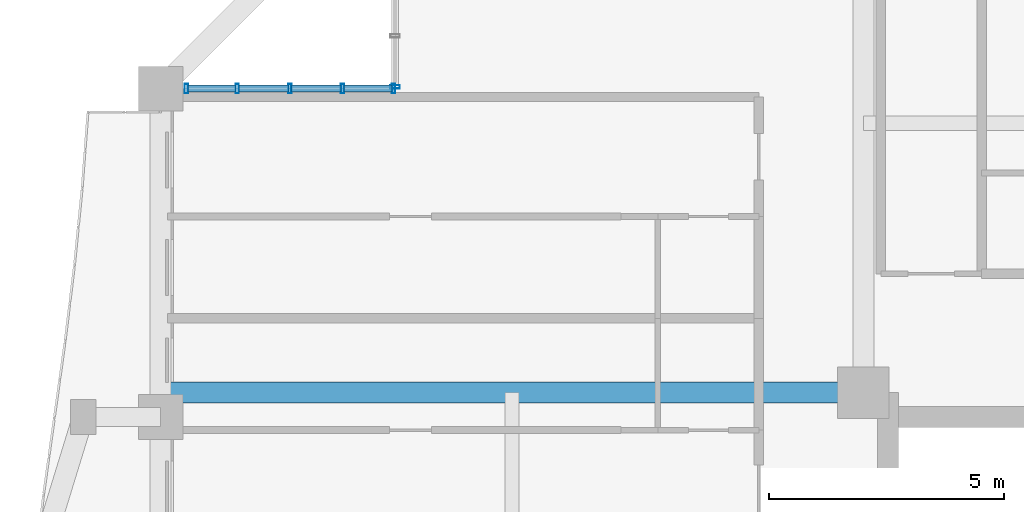
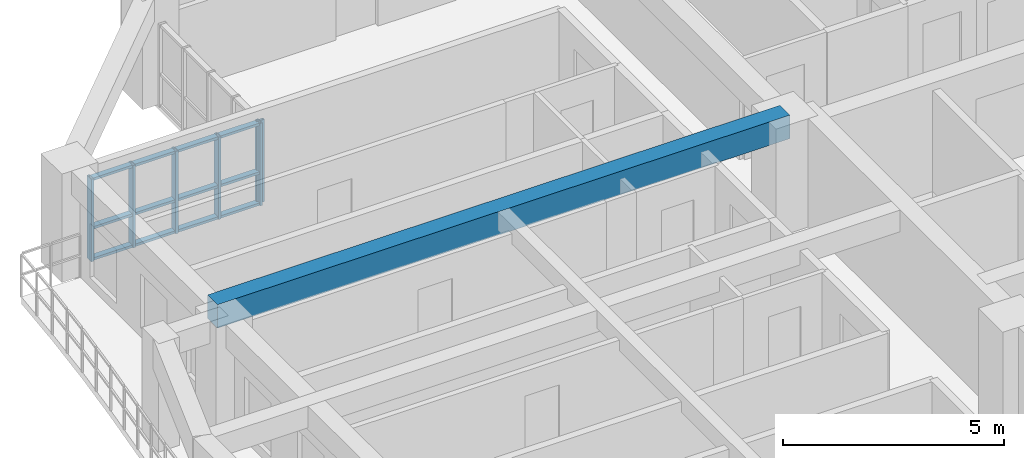
# One storey, part 6 of 24: 18 members, 1 beam, 2 elements without a shape of their own.
"""IFC4 building model written with IfcOpenShell, lengths in metres."""

import ifcopenshell
import ifcopenshell.guid

model = None  # the IFC model being written
_history = None  # IfcOwnerHistory: only IFC2X3 demands one
_inside = {}  # id of a spatial element -> (the spatial element, [elements in it])
_under = {}  # id of a project, library or spatial element -> (it, [spatial elements below it])
_declared = {}  # id of a project -> (the project, [libraries it declares])
_typed = {}  # id of a type object -> (the type object, [elements of that type])
_made_of = {}  # id of a material, layer set ... -> (it, [elements and type objects made of it])


def new_model(schema):
    """Start an empty IFC model of exactly this schema.

    Asked for "IFC4X3", IfcOpenShell would pick the latest addendum, in which some entities
    have other attributes; the version numbers below select the first issue.
    IFC2X3 requires an IfcOwnerHistory on every rooted entity: one is made here for all.
    """
    global model, _history
    if schema == "IFC4X3":
        model = ifcopenshell.file(schema_version=(4, 3, 0, 0))
    else:
        model = ifcopenshell.file(schema=schema)
    _inside.clear()
    _under.clear()
    _declared.clear()
    _typed.clear()
    _made_of.clear()
    _history = None
    if model.schema == "IFC2X3":
        org = make("IfcOrganization", Name="unknown")
        user = make(
            "IfcPersonAndOrganization",
            ThePerson=make("IfcPerson", FamilyName="unknown"),
            TheOrganization=org,
        )
        app = make(
            "IfcApplication",
            ApplicationDeveloper=org,
            Version="unknown",
            ApplicationFullName="unknown",
            ApplicationIdentifier="unknown",
        )
        _history = make(
            "IfcOwnerHistory",
            OwningUser=user,
            OwningApplication=app,
            ChangeAction="ADDED",
            CreationDate=0,
        )
    return model


def make(cls, **values):
    """One entity of the class cls with the attributes given. An attribute that is None is left unset."""
    return model.create_entity(
        cls, **{name: value for name, value in values.items() if value is not None}
    )


def rooted(cls, **values):
    """An entity with a GlobalId (a new one), such as an element, a storey or a relation."""
    return make(cls, GlobalId=ifcopenshell.guid.new(), OwnerHistory=_history, **values)


def si_unit(unit_type, name, prefix=None):
    """IfcSIUnit, for example si_unit("LENGTHUNIT", "METRE", prefix="MILLI")."""
    return make("IfcSIUnit", UnitType=unit_type, Prefix=prefix, Name=name)


def assignment(units):
    """IfcUnitAssignment: the units of a project."""
    return None if units is None else make("IfcUnitAssignment", Units=units)


def point(xyz):
    """IfcCartesianPoint."""
    return None if xyz is None else make("IfcCartesianPoint", Coordinates=xyz)


def direction(xyz):
    """IfcDirection."""
    return None if xyz is None else make("IfcDirection", DirectionRatios=xyz)


def frame(location, z_axis=None, x_axis=None):
    """IfcAxis2Placement3D, a coordinate frame: its origin and axes. An axis left out is left unset."""
    return make(
        "IfcAxis2Placement3D",
        Location=point(location),
        Axis=direction(z_axis),
        RefDirection=direction(x_axis),
    )


def frame_2d(location, x_axis=None):
    """IfcAxis2Placement2D, a coordinate frame in the plane: its origin and x axis."""
    return make(
        "IfcAxis2Placement2D", Location=point(location), RefDirection=direction(x_axis)
    )


def origin():
    """The frame at (0, 0, 0) with its axes left unset."""
    return frame((0.0, 0.0, 0.0))


def origin_2d():
    """The frame at (0, 0) in the plane with its x axis left unset."""
    return frame_2d((0.0, 0.0))


def place(relative_to, where):
    """IfcLocalPlacement: puts the frame where relative to a parent placement (None: the world)."""
    return make(
        "IfcLocalPlacement", PlacementRelTo=relative_to, RelativePlacement=where
    )


def context(
    kind, dimensions, precision=None, world=None, true_north=None, identifier=None
):
    """IfcGeometricRepresentationContext, for example the 3D "Model" context."""
    return make(
        "IfcGeometricRepresentationContext",
        ContextIdentifier=identifier,
        ContextType=kind,
        CoordinateSpaceDimension=dimensions,
        Precision=precision,
        WorldCoordinateSystem=world,
        TrueNorth=true_north,
    )


def subcontext(parent, identifier, kind, view, scale=None):
    """IfcGeometricRepresentationSubContext, for example "Body" below "Model"."""
    return make(
        "IfcGeometricRepresentationSubContext",
        ContextIdentifier=identifier,
        ContextType=kind,
        ParentContext=parent,
        TargetScale=scale,
        TargetView=view,
    )


def project(units=None, contexts=None):
    """IfcProject with its units and contexts."""
    return rooted(
        "IfcProject",
        Name="project",
        RepresentationContexts=contexts,
        UnitsInContext=assignment(units),
    )


def spatial(cls, under=None, at=None, **own):
    """A site, building, storey or space (cls), placed at a placement, below another one or the project."""
    s = rooted(cls, ObjectPlacement=at, **own)
    if under is not None:
        _under.setdefault(under.id(), (under, []))[1].append(s)
    return s


def profile(cls, at=None, kind="AREA", **sizes):
    """A parametric profile (cls). Its sizes go by their IFC names, for example OverallWidth=200.0."""
    return make(cls, ProfileType=kind, Position=at, **sizes)


def rectangle(**sizes):
    """IfcRectangleProfileDef."""
    return profile("IfcRectangleProfileDef", **sizes)


def hollow_rectangle(**sizes):
    """IfcRectangleHollowProfileDef."""
    return profile("IfcRectangleHollowProfileDef", **sizes)


def extrude(swept, where, along, depth):
    """IfcExtrudedAreaSolid: the profile swept, set in the frame where, extruded along a direction by depth."""
    return make(
        "IfcExtrudedAreaSolid",
        SweptArea=swept,
        Position=where,
        ExtrudedDirection=direction(along),
        Depth=depth,
    )


def shape(context_of_items, identifier, shape_type, items):
    """IfcShapeRepresentation: the items that make up one representation, for example the "Body"."""
    return make(
        "IfcShapeRepresentation",
        ContextOfItems=context_of_items,
        RepresentationIdentifier=identifier,
        RepresentationType=shape_type,
        Items=items,
    )


def source(mapping_origin, context_of_items, identifier, shape_type, items):
    """IfcRepresentationMap: a shape defined once, which mapped items show again and again."""
    return make(
        "IfcRepresentationMap",
        MappingOrigin=mapping_origin,
        MappedRepresentation=shape(context_of_items, identifier, shape_type, items),
    )


def transform(
    local_origin,
    x_axis=None,
    y_axis=None,
    z_axis=None,
    scale=None,
    scale2=None,
    scale3=None,
    uniform=True,
):
    """IfcCartesianTransformationOperator3D, or its non-uniform kind. x_axis, y_axis, z_axis: its Axis1, 2, 3."""
    if uniform:
        return make(
            "IfcCartesianTransformationOperator3D",
            Axis1=direction(x_axis),
            Axis2=direction(y_axis),
            LocalOrigin=point(local_origin),
            Scale=scale,
            Axis3=direction(z_axis),
        )
    return make(
        "IfcCartesianTransformationOperator3DnonUniform",
        Axis1=direction(x_axis),
        Axis2=direction(y_axis),
        LocalOrigin=point(local_origin),
        Scale=scale,
        Axis3=direction(z_axis),
        Scale2=scale2,
        Scale3=scale3,
    )


def mapped(mapping_source, mapping_target):
    """IfcMappedItem: shows the shape of a source again, moved by a transform."""
    return make(
        "IfcMappedItem", MappingSource=mapping_source, MappingTarget=mapping_target
    )


def material(Name=None, Category=None):
    """IfcMaterial."""
    return make("IfcMaterial", Name=Name, Category=Category)


def layer(
    of_material, thickness, ventilated=None, Name=None, Category=None, Priority=None
):
    """IfcMaterialLayer: one layer of a wall or slab, of a material (None: an air gap)."""
    return make(
        "IfcMaterialLayer",
        Material=of_material,
        LayerThickness=thickness,
        IsVentilated=ventilated,
        Name=Name,
        Category=Category,
        Priority=Priority,
    )


def layer_set(layers, Name=None):
    """IfcMaterialLayerSet."""
    return make("IfcMaterialLayerSet", MaterialLayers=layers, LayerSetName=Name)


def material_profile(
    of_material, cross_section, Name=None, Category=None, Priority=None
):
    """IfcMaterialProfile: a cross section and its material."""
    return make(
        "IfcMaterialProfile",
        Name=Name,
        Material=of_material,
        Profile=cross_section,
        Priority=Priority,
        Category=Category,
    )


def profile_set(profiles, Name=None, composite=None):
    """IfcMaterialProfileSet."""
    return make(
        "IfcMaterialProfileSet",
        Name=Name,
        MaterialProfiles=profiles,
        CompositeProfile=composite,
    )


def made_of(thing, what):
    """Note that an element or type object is made of a material, layer set ...; save() writes the relation."""
    if what is not None:
        _made_of.setdefault(what.id(), (what, []))[1].append(thing)
    return thing


def type_object(cls, material=None, **own):
    """A type object (cls), such as IfcWallType, which elements share."""
    return made_of(rooted(cls, **own), material)


def element(
    cls,
    number,
    at=None,
    inside=None,
    cuts=None,
    type_object=None,
    material=None,
    context=None,
    identifier="Body",
    shape_type=None,
    held_by="IfcProductDefinitionShape",
    body=None,
    shapes=None,
    **own,
):
    """One element of the class cls, such as IfcWall. Its Tag is "e" and its number.

    at: its placement. inside: the storey or other place that contains it. cuts: it is an
    opening in that element (IfcRelVoidsElement). A single representation is given by context,
    identifier, shape_type and body (its items); several are given by shapes. held_by: the class
    of the entity that holds the representations. save() writes the other relations.
    """
    e = rooted(cls, Tag="e%d" % number, ObjectPlacement=at, **own)
    if body is not None:
        shapes = [shape(context, identifier, shape_type, body)]
    if shapes is not None:
        e.Representation = make(held_by, Representations=shapes)
    if inside is not None:
        _inside.setdefault(inside.id(), (inside, []))[1].append(e)
    if cuts is not None:
        rooted(
            "IfcRelVoidsElement", RelatingBuildingElement=cuts, RelatedOpeningElement=e
        )
    if type_object is not None:
        _typed.setdefault(type_object.id(), (type_object, []))[1].append(e)
    return made_of(e, material)


def aggregate(whole, parts):
    """IfcRelAggregates: a whole, such as a stair, and the parts it consists of."""
    return rooted("IfcRelAggregates", RelatingObject=whole, RelatedObjects=parts)


def save(model, path):
    """Write the relations noted so far, then the file.

    IfcRelAggregates (storeys below a building ...), IfcRelContainedInSpatialStructure (elements
    in a storey), IfcRelDefinesByType, IfcRelAssociatesMaterial and IfcRelDeclares: one each for
    every whole, place, type object, material and project.
    """
    for whole, parts in _under.values():
        aggregate(whole, parts)
    for where, things in _inside.values():
        rooted(
            "IfcRelContainedInSpatialStructure",
            RelatedElements=things,
            RelatingStructure=where,
        )
    for kind, things in _typed.values():
        rooted("IfcRelDefinesByType", RelatedObjects=things, RelatingType=kind)
    for what, things in _made_of.values():
        rooted("IfcRelAssociatesMaterial", RelatedObjects=things, RelatingMaterial=what)
    for by, libraries in _declared.values():
        rooted("IfcRelDeclares", RelatingContext=by, RelatedDefinitions=libraries)
    model.write(path)


model = new_model("IFC4")

# Units and contexts
model_context = context("Model", 3, precision=1e-05, world=origin(), true_north=direction((0.0, 1.0)))
body_context = subcontext(model_context, "Body", "Model", "MODEL_VIEW")
ifc_project = project(units=[si_unit("LENGTHUNIT", "METRE"), si_unit("AREAUNIT", "SQUARE_METRE"), si_unit("VOLUMEUNIT", "CUBIC_METRE"), si_unit("PLANEANGLEUNIT", "RADIAN"), si_unit("MASSUNIT", "GRAM", prefix="KILO")], contexts=[model_context])

# Site, building, storey
site_placement = place(None, origin())
site = spatial("IfcSite", under=ifc_project, at=site_placement, CompositionType="ELEMENT")
building_placement = place(site_placement, origin())
building = spatial("IfcBuilding", under=site, at=building_placement, Name="Saelheon Loggia Tower", CompositionType="ELEMENT")
storey_placement = place(building_placement, frame((0.0, 0.0, 166.0)))
storey = spatial("IfcBuildingStorey", under=building, at=storey_placement, Name="L52", CompositionType="ELEMENT", Elevation=166.0)

# Beam
ifc_material_1 = material(Name="Concrete C40/50", Category="concrete")
ifc_material_profile_1 = material_profile(ifc_material_1, rectangle(XDim=0.449951171875, YDim=0.64990234375, at=origin_2d()), Name="RC-450x650")
ifc_profile_set_1 = profile_set([ifc_material_profile_1], Name="Concrete C40/50")
beam_type = type_object("IfcBeamType", Name="Beam_TowerGirder_RC450x650", PredefinedType="BEAM", material=ifc_profile_set_1)
shared_shape_1 = source(origin(), body_context, "Body", "SweptSolid", [
    extrude(rectangle(XDim=0.449951171875, YDim=0.64990234375, at=origin_2d()), origin(), (0.0, 0.0, 1.0), 14.97998046875),
])
beam_placement = place(storey_placement, frame((30.97998046875, 36.52001953125, 2.675048828125), z_axis=(-1.0, 0.0, 0.0), x_axis=(0.0, -1.0, 0.0)))
element("IfcBeam", 1, at=beam_placement, inside=storey, type_object=beam_type, Name="L52 Radial Floor Girder RAD-NW-W", PredefinedType="BEAM", context=body_context, shape_type="MappedRepresentation", body=[
    mapped(shared_shape_1, transform((0.0, 0.0, 0.0), scale=1.0)),
])

# Curtain wall, member
ifc_material_2 = material(Name="High-Wind Aluminium and Triple Laminated Glass", Category="aluminium")
ifc_layer = layer(ifc_material_2, 0.179931640625)
ifc_layer_set = layer_set([ifc_layer], Name="High-Wind Aluminium and Triple Laminated Glass")
curtain_wall_type = type_object("IfcCurtainWallType", Name="CW_TowerLoggiaHigh", PredefinedType="NOTDEFINED", material=ifc_layer_set)
curtain_wall_1_placement = place(storey_placement, origin())
curtain_wall_1 = element("IfcCurtainWall", 2, at=curtain_wall_1_placement, inside=storey, type_object=curtain_wall_type, Name="L52 Corner Notch Glazing NW1", PredefinedType="NOTDEFINED")
ifc_material_3 = material(Name="Anodised Aluminium 6063-T6", Category="aluminium")
ifc_material_profile_2 = material_profile(ifc_material_3, hollow_rectangle(XDim=0.070068359375, YDim=0.199951171875, WallThickness=0.0048828125, at=origin_2d()), Name="RHS-200x70x5")
ifc_profile_set_2 = profile_set([ifc_material_profile_2], Name="Anodised Aluminium 6063-T6")
member_type_1 = type_object("IfcMemberType", Name="CW_TowerLoggiaHigh_Mullion", PredefinedType="MULLION", material=ifc_profile_set_2)
shared_shape_2 = source(origin(), body_context, "Body", "SweptSolid", [
    extrude(hollow_rectangle(XDim=0.070068359375, YDim=0.199951171875, WallThickness=0.0048828125, at=origin_2d()), origin(), (0.0, 0.0, 1.0), 2.280029296875),
])
member_1_placement = place(storey_placement, frame((21.0, 43.034912109375, 0.0), z_axis=(0.0, 0.0, 1.0), x_axis=(0.0, 1.0, 0.0)))
member_1 = element("IfcMember", 3, at=member_1_placement, type_object=member_type_1, Name="CW4 mullion 1", PredefinedType="MULLION", context=body_context, shape_type="MappedRepresentation", body=[
    mapped(shared_shape_2, transform((0.0, 0.0, 0.0), scale=1.0)),
])
aggregate(curtain_wall_1, [member_1])

# Curtain wall, members
curtain_wall_2_placement = place(storey_placement, origin())
curtain_wall_2 = element("IfcCurtainWall", 4, at=curtain_wall_2_placement, inside=storey, type_object=curtain_wall_type, Name="L52 Corner Notch Glazing NW2", PredefinedType="NOTDEFINED")
member_2_placement = place(storey_placement, frame((16.550048828125, 43.0, 0.0), z_axis=(0.0, 0.0, 1.0), x_axis=(1.0, 0.0, 0.0)))
member_2 = element("IfcMember", 5, at=member_2_placement, type_object=member_type_1, Name="CW4 mullion 1", PredefinedType="MULLION", context=body_context, shape_type="MappedRepresentation", body=[
    mapped(shared_shape_2, transform((0.0, 0.0, 0.0), scale=1.0)),
])
member_3_placement = place(storey_placement, frame((17.63623046875, 43.0, 0.0), z_axis=(0.0, 0.0, 1.0), x_axis=(1.0, 0.0, 0.0)))
member_3 = element("IfcMember", 6, at=member_3_placement, type_object=member_type_1, Name="CW4 mullion 2", PredefinedType="MULLION", context=body_context, shape_type="MappedRepresentation", body=[
    mapped(shared_shape_2, transform((0.0, 0.0, 0.0), scale=1.0)),
])
member_4_placement = place(storey_placement, frame((18.757568359375, 43.0, 0.0), z_axis=(0.0, 0.0, 1.0), x_axis=(1.0, 0.0, 0.0)))
member_4 = element("IfcMember", 7, at=member_4_placement, type_object=member_type_1, Name="CW4 mullion 3", PredefinedType="MULLION", context=body_context, shape_type="MappedRepresentation", body=[
    mapped(shared_shape_2, transform((0.0, 0.0, 0.0), scale=1.0)),
])
member_5_placement = place(storey_placement, frame((19.878662109375, 43.0, 0.0), z_axis=(0.0, 0.0, 1.0), x_axis=(1.0, 0.0, 0.0)))
member_5 = element("IfcMember", 8, at=member_5_placement, type_object=member_type_1, Name="CW4 mullion 4", PredefinedType="MULLION", context=body_context, shape_type="MappedRepresentation", body=[
    mapped(shared_shape_2, transform((0.0, 0.0, 0.0), scale=1.0)),
])
member_6_placement = place(storey_placement, frame((20.965087890625, 43.0, 0.0), z_axis=(0.0, 0.0, 1.0), x_axis=(1.0, 0.0, 0.0)))
member_6 = element("IfcMember", 9, at=member_6_placement, type_object=member_type_1, Name="CW4 mullion 5", PredefinedType="MULLION", context=body_context, shape_type="MappedRepresentation", body=[
    mapped(shared_shape_2, transform((0.0, 0.0, 0.0), scale=1.0)),
])
ifc_material_profile_3 = material_profile(ifc_material_3, hollow_rectangle(XDim=0.070068359375, YDim=0.14990234375, WallThickness=0.0048828125, at=origin_2d()), Name="RHS-150x70x5")
ifc_profile_set_3 = profile_set([ifc_material_profile_3], Name="Anodised Aluminium 6063-T6")
member_type_2 = type_object("IfcMemberType", Name="CW_TowerLoggiaHigh_Transom", PredefinedType="USERDEFINED", material=ifc_profile_set_3)
shared_shape_3 = source(origin(), body_context, "Body", "SweptSolid", [
    extrude(hollow_rectangle(XDim=0.070068359375, YDim=0.14990234375, WallThickness=0.0048828125, at=origin_2d()), origin(), (0.0, 0.0, 1.0), 1.016357421875),
])
member_7_placement = place(storey_placement, frame((16.5849609375, 43.0, 0.034912109375), z_axis=(1.0, 0.0, 0.0), x_axis=(0.0, 0.0, 1.0)))
member_7 = element("IfcMember", 10, at=member_7_placement, type_object=member_type_2, Name="CW4 transom 1.1", ObjectType="TRANSOM", PredefinedType="USERDEFINED", context=body_context, shape_type="MappedRepresentation", body=[
    mapped(shared_shape_3, transform((0.0, 0.0, 0.0), scale=1.0)),
])
member_8_placement = place(storey_placement, frame((16.5849609375, 43.0, 0.89990234375), z_axis=(1.0, 0.0, 0.0), x_axis=(0.0, 0.0, 1.0)))
member_8 = element("IfcMember", 11, at=member_8_placement, type_object=member_type_2, Name="CW4 transom 1.2", ObjectType="TRANSOM", PredefinedType="USERDEFINED", context=body_context, shape_type="MappedRepresentation", body=[
    mapped(shared_shape_3, transform((0.0, 0.0, 0.0), scale=1.0)),
])
member_9_placement = place(storey_placement, frame((16.5849609375, 43.0, 2.2451171875), z_axis=(1.0, 0.0, 0.0), x_axis=(0.0, 0.0, 1.0)))
member_9 = element("IfcMember", 12, at=member_9_placement, type_object=member_type_2, Name="CW4 transom 1.3", ObjectType="TRANSOM", PredefinedType="USERDEFINED", context=body_context, shape_type="MappedRepresentation", body=[
    mapped(shared_shape_3, transform((0.0, 0.0, 0.0), scale=1.0)),
])
shared_shape_4 = source(origin(), body_context, "Body", "SweptSolid", [
    extrude(hollow_rectangle(XDim=0.070068359375, YDim=0.14990234375, WallThickness=0.0048828125, at=origin_2d()), origin(), (0.0, 0.0, 1.0), 1.05126953125),
])
member_10_placement = place(storey_placement, frame((17.671142578125, 43.0, 0.034912109375), z_axis=(1.0, 0.0, 0.0), x_axis=(0.0, 0.0, 1.0)))
member_10 = element("IfcMember", 13, at=member_10_placement, type_object=member_type_2, Name="CW4 transom 2.1", ObjectType="TRANSOM", PredefinedType="USERDEFINED", context=body_context, shape_type="MappedRepresentation", body=[
    mapped(shared_shape_4, transform((0.0, 0.0, 0.0), scale=1.0)),
])
member_11_placement = place(storey_placement, frame((17.671142578125, 43.0, 0.89990234375), z_axis=(1.0, 0.0, 0.0), x_axis=(0.0, 0.0, 1.0)))
member_11 = element("IfcMember", 14, at=member_11_placement, type_object=member_type_2, Name="CW4 transom 2.2", ObjectType="TRANSOM", PredefinedType="USERDEFINED", context=body_context, shape_type="MappedRepresentation", body=[
    mapped(shared_shape_4, transform((0.0, 0.0, 0.0), scale=1.0)),
])
member_12_placement = place(storey_placement, frame((17.671142578125, 43.0, 2.2451171875), z_axis=(1.0, 0.0, 0.0), x_axis=(0.0, 0.0, 1.0)))
member_12 = element("IfcMember", 15, at=member_12_placement, type_object=member_type_2, Name="CW4 transom 2.3", ObjectType="TRANSOM", PredefinedType="USERDEFINED", context=body_context, shape_type="MappedRepresentation", body=[
    mapped(shared_shape_4, transform((0.0, 0.0, 0.0), scale=1.0)),
])
member_13_placement = place(storey_placement, frame((18.79248046875, 43.0, 0.034912109375), z_axis=(1.0, 0.0, 0.0), x_axis=(0.0, 0.0, 1.0)))
member_13 = element("IfcMember", 16, at=member_13_placement, type_object=member_type_2, Name="CW4 transom 3.1", ObjectType="TRANSOM", PredefinedType="USERDEFINED", context=body_context, shape_type="MappedRepresentation", body=[
    mapped(shared_shape_4, transform((0.0, 0.0, 0.0), scale=1.0)),
])
member_14_placement = place(storey_placement, frame((18.79248046875, 43.0, 0.89990234375), z_axis=(1.0, 0.0, 0.0), x_axis=(0.0, 0.0, 1.0)))
member_14 = element("IfcMember", 17, at=member_14_placement, type_object=member_type_2, Name="CW4 transom 3.2", ObjectType="TRANSOM", PredefinedType="USERDEFINED", context=body_context, shape_type="MappedRepresentation", body=[
    mapped(shared_shape_4, transform((0.0, 0.0, 0.0), scale=1.0)),
])
member_15_placement = place(storey_placement, frame((18.79248046875, 43.0, 2.2451171875), z_axis=(1.0, 0.0, 0.0), x_axis=(0.0, 0.0, 1.0)))
member_15 = element("IfcMember", 18, at=member_15_placement, type_object=member_type_2, Name="CW4 transom 3.3", ObjectType="TRANSOM", PredefinedType="USERDEFINED", context=body_context, shape_type="MappedRepresentation", body=[
    mapped(shared_shape_4, transform((0.0, 0.0, 0.0), scale=1.0)),
])
shared_shape_5 = source(origin(), body_context, "Body", "SweptSolid", [
    extrude(hollow_rectangle(XDim=0.070068359375, YDim=0.14990234375, WallThickness=0.0048828125, at=origin_2d()), origin(), (0.0, 0.0, 1.0), 1.01611328125),
])
member_16_placement = place(storey_placement, frame((19.913818359375, 43.0, 0.034912109375), z_axis=(1.0, 0.0, 0.0), x_axis=(0.0, 0.0, 1.0)))
member_16 = element("IfcMember", 19, at=member_16_placement, type_object=member_type_2, Name="CW4 transom 4.1", ObjectType="TRANSOM", PredefinedType="USERDEFINED", context=body_context, shape_type="MappedRepresentation", body=[
    mapped(shared_shape_5, transform((0.0, 0.0, 0.0), scale=1.0)),
])
member_17_placement = place(storey_placement, frame((19.913818359375, 43.0, 0.89990234375), z_axis=(1.0, 0.0, 0.0), x_axis=(0.0, 0.0, 1.0)))
member_17 = element("IfcMember", 20, at=member_17_placement, type_object=member_type_2, Name="CW4 transom 4.2", ObjectType="TRANSOM", PredefinedType="USERDEFINED", context=body_context, shape_type="MappedRepresentation", body=[
    mapped(shared_shape_5, transform((0.0, 0.0, 0.0), scale=1.0)),
])
member_18_placement = place(storey_placement, frame((19.913818359375, 43.0, 2.2451171875), z_axis=(1.0, 0.0, 0.0), x_axis=(0.0, 0.0, 1.0)))
member_18 = element("IfcMember", 21, at=member_18_placement, type_object=member_type_2, Name="CW4 transom 4.3", ObjectType="TRANSOM", PredefinedType="USERDEFINED", context=body_context, shape_type="MappedRepresentation", body=[
    mapped(shared_shape_5, transform((0.0, 0.0, 0.0), scale=1.0)),
])
aggregate(curtain_wall_2, [member_2, member_3, member_4, member_5, member_6, member_7, member_8, member_9, member_10, member_11, member_12, member_13, member_14, member_15, member_16, member_17, member_18])

save(model, "model.ifc")
